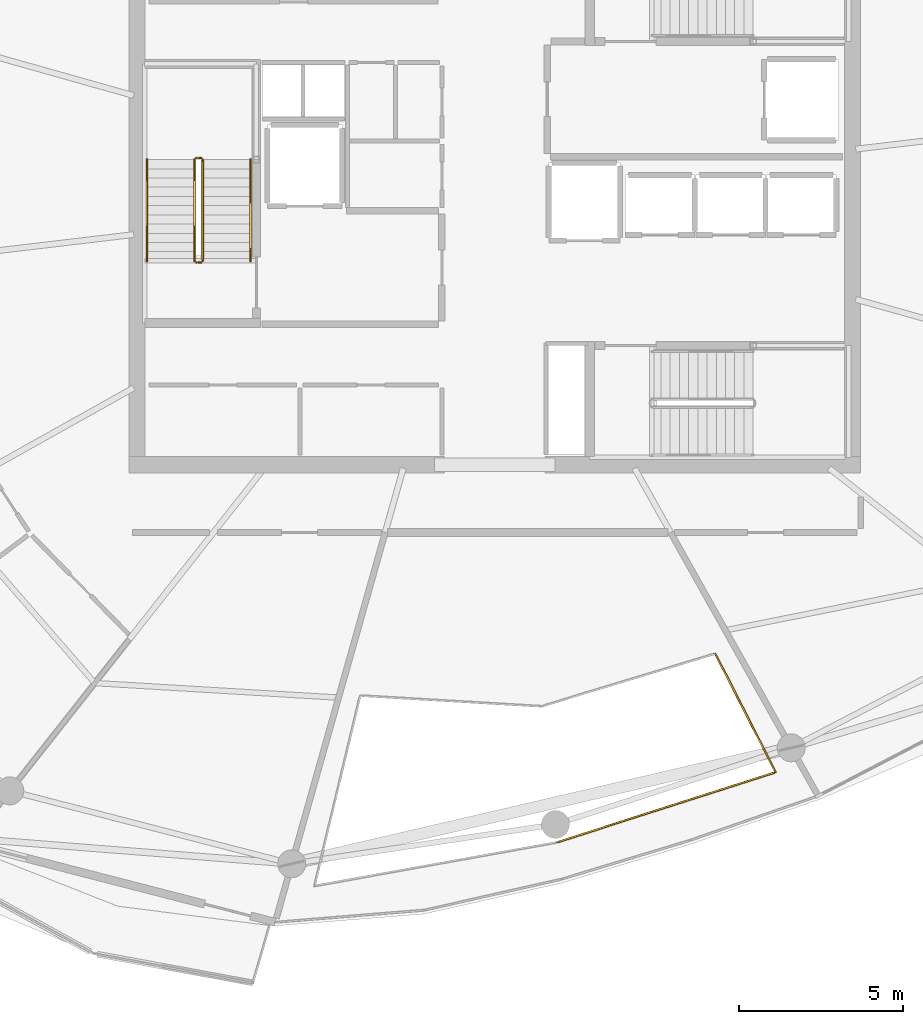
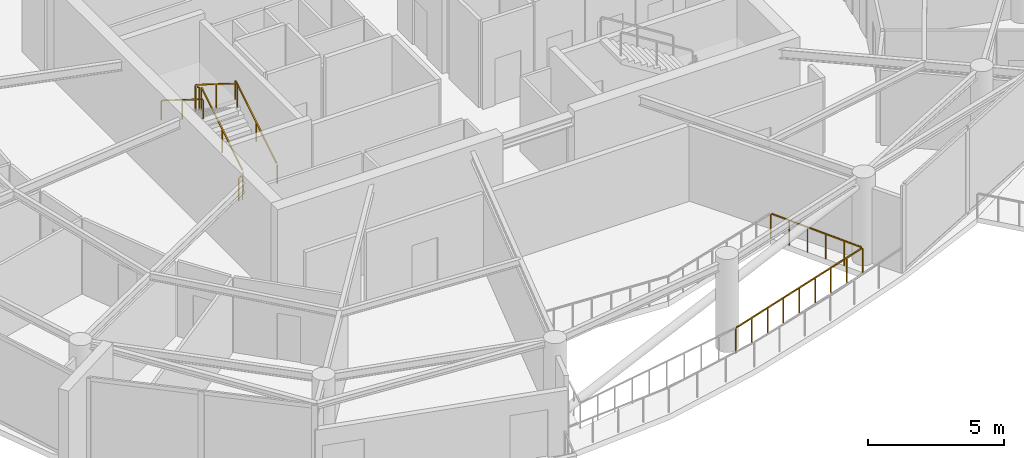
# One storey, part 19 of 22: 8 railings.
"""IFC4 building model written with IfcOpenShell, lengths in metres."""

from ifc_helpers import new_model, si_unit, direction, frame, origin, origin_2d, place, context, subcontext, project, spatial, rectangle, extrude, material, type_object, element, save


model = new_model("IFC4")

# Units and contexts
model_context = context("Model", 3, precision=1e-05, world=origin(), true_north=direction((0.0, 1.0)))
body_context = subcontext(model_context, "Body", "Model", "MODEL_VIEW")
ifc_project = project(units=[si_unit("LENGTHUNIT", "METRE"), si_unit("AREAUNIT", "SQUARE_METRE"), si_unit("VOLUMEUNIT", "CUBIC_METRE"), si_unit("PLANEANGLEUNIT", "RADIAN"), si_unit("MASSUNIT", "GRAM", prefix="KILO")], contexts=[model_context])

# Site, building, storey
site_placement = place(None, origin())
site = spatial("IfcSite", under=ifc_project, at=site_placement, CompositionType="ELEMENT")
building_placement = place(site_placement, origin())
building = spatial("IfcBuilding", under=site, at=building_placement, Name="Kazma Halo Residences", CompositionType="ELEMENT")
storey_placement = place(building_placement, frame((0.0, 0.0, 322.10009765625)))
storey = spatial("IfcBuildingStorey", under=building, at=storey_placement, Name="L81", CompositionType="ELEMENT", Elevation=322.10009765625)

# Railings
ifc_material_1 = material(Name="Brushed Stainless Steel and Laminated Glass", Category="steel")
railing_type_1 = type_object("IfcRailingType", Name="RLG-EXT-GUARD-1150", PredefinedType="GUARDRAIL", material=ifc_material_1)
railing_1_placement = place(storey_placement, frame((55.127685546875, 28.01123046875, 0.0)))
element("IfcRailing", 1, at=railing_1_placement, inside=storey, type_object=railing_type_1, Name="L81 upper wind-portal edge guard 2.3", PredefinedType="GUARDRAIL", context=body_context, shape_type="SweptSolid", body=[
    extrude(rectangle(XDim=0.050048828125, YDim=0.050048828125, at=origin_2d()), frame((0.019287109375, -0.037841796875, 1.125), z_axis=(0.453986372723, -0.891008626996, 0.0), x_axis=(0.891008626996, 0.453986372723, 0.0)), (0.0, 0.0, 1.0), 3.958984375),
    extrude(rectangle(XDim=0.0400390625, YDim=0.0400390625, at=origin_2d()), origin(), (0.0, 0.0, 1.0), 1.087890625),
    extrude(rectangle(XDim=0.0400390625, YDim=0.0400390625, at=origin_2d()), frame((0.3671875, -0.720703125, 0.0)), (0.0, 0.0, 1.0), 1.087890625),
    extrude(rectangle(XDim=0.0400390625, YDim=0.0400390625, at=origin_2d()), frame((0.734375, -1.44140625, 0.0)), (0.0, 0.0, 1.0), 1.087890625),
    extrude(rectangle(XDim=0.0400390625, YDim=0.0400390625, at=origin_2d()), frame((1.1015625, -2.161865234375, 0.0)), (0.0, 0.0, 1.0), 1.087890625),
    extrude(rectangle(XDim=0.0400390625, YDim=0.0400390625, at=origin_2d()), frame((1.46875, -2.882568359375, 0.0)), (0.0, 0.0, 1.0), 1.087890625),
    extrude(rectangle(XDim=0.0400390625, YDim=0.0400390625, at=origin_2d()), frame((1.8359375, -3.603271484375, 0.0)), (0.0, 0.0, 1.0), 1.087890625),
])
railing_2_placement = place(storey_placement, frame((56.963623046875, 24.407958984375, 0.0)))
element("IfcRailing", 2, at=railing_2_placement, inside=storey, type_object=railing_type_1, Name="L81 upper wind-portal edge guard 2.4", PredefinedType="GUARDRAIL", context=body_context, shape_type="SweptSolid", body=[
    extrude(rectangle(XDim=0.050048828125, YDim=0.050048828125, at=origin_2d()), frame((-0.04052734375, -0.012939453125, 1.125), z_axis=(-0.952165276882, -0.305583516407, 0.0), x_axis=(0.305583516407, -0.952165276882, 0.0)), (0.0, 0.0, 1.0), 6.877685546875),
    extrude(rectangle(XDim=0.0400390625, YDim=0.0400390625, at=origin_2d()), origin(), (0.0, 0.0, 1.0), 1.087890625),
    extrude(rectangle(XDim=0.0400390625, YDim=0.0400390625, at=origin_2d()), frame((-0.82861328125, -0.265869140625, 0.0)), (0.0, 0.0, 1.0), 1.087890625),
    extrude(rectangle(XDim=0.0400390625, YDim=0.0400390625, at=origin_2d()), frame((-1.657470703125, -0.531982421875, 0.0)), (0.0, 0.0, 1.0), 1.087890625),
    extrude(rectangle(XDim=0.0400390625, YDim=0.0400390625, at=origin_2d()), frame((-2.486083984375, -0.7978515625, 0.0)), (0.0, 0.0, 1.0), 1.087890625),
    extrude(rectangle(XDim=0.0400390625, YDim=0.0400390625, at=origin_2d()), frame((-3.31494140625, -1.06396484375, 0.0)), (0.0, 0.0, 1.0), 1.087890625),
    extrude(rectangle(XDim=0.0400390625, YDim=0.0400390625, at=origin_2d()), frame((-4.1435546875, -1.329833984375, 0.0)), (0.0, 0.0, 1.0), 1.087890625),
    extrude(rectangle(XDim=0.0400390625, YDim=0.0400390625, at=origin_2d()), frame((-4.97216796875, -1.595703125, 0.0)), (0.0, 0.0, 1.0), 1.087890625),
    extrude(rectangle(XDim=0.0400390625, YDim=0.0400390625, at=origin_2d()), frame((-5.801025390625, -1.86181640625, 0.0)), (0.0, 0.0, 1.0), 1.087890625),
    extrude(rectangle(XDim=0.0400390625, YDim=0.0400390625, at=origin_2d()), frame((-6.629638671875, -2.127685546875, 0.0)), (0.0, 0.0, 1.0), 1.087890625),
])
ifc_material_2 = material(Name="Painted Steel S355", Category="steel")
railing_type_2 = type_object("IfcRailingType", Name="RLG-STAIR-GRD-1100", PredefinedType="GUARDRAIL", material=ifc_material_2)
railing_3_placement = place(storey_placement, frame((39.550048828125, 39.949951171875, 0.1748046875)))
element("IfcRailing", 3, at=railing_3_placement, inside=storey, type_object=railing_type_2, Name="L81 ST-01 stair guard 1", PredefinedType="GUARDRAIL", context=body_context, shape_type="SweptSolid", body=[
    extrude(rectangle(XDim=0.050048828125, YDim=0.050048828125, at=origin_2d()), frame((0.0, 0.0361328125, 1.09765625), z_axis=(0.0, 0.847998304005, 0.529998940003), x_axis=(-1.0, 0.0, 0.0)), (0.0, 0.0, 1.0), 3.547119140625),
    extrude(rectangle(XDim=0.0400390625, YDim=0.0400390625, at=origin_2d()), origin(), (0.0, 0.0, 1.0), 1.0380859375),
    extrude(rectangle(XDim=0.0400390625, YDim=0.0400390625, at=origin_2d()), frame((0.0, 1.5400390625, 0.96240234375)), (0.0, 0.0, 1.0), 1.0380859375),
    extrude(rectangle(XDim=0.0400390625, YDim=0.0400390625, at=origin_2d()), frame((0.0, 3.080078125, 1.925048828125)), (0.0, 0.0, 1.0), 1.0380859375),
])
railing_4_placement = place(storey_placement, frame((39.5, 43.080078125, 2.099853515625)))
element("IfcRailing", 4, at=railing_4_placement, inside=storey, type_object=railing_type_2, Name="L81 ST-01 stair guard 2", PredefinedType="GUARDRAIL", context=body_context, shape_type="SweptSolid", body=[
    extrude(rectangle(XDim=0.050048828125, YDim=0.050048828125, at=origin_2d()), frame((-0.04248046875, 0.0, 1.0751953125), z_axis=(-1.0, 0.0, 0.0), x_axis=(0.0, -1.0, 0.0)), (0.0, 0.0, 1.0), 0.06494140625),
    extrude(rectangle(XDim=0.0400390625, YDim=0.0400390625, at=origin_2d()), origin(), (0.0, 0.0, 1.0), 1.0380859375),
    extrude(rectangle(XDim=0.0400390625, YDim=0.0400390625, at=origin_2d()), frame((-0.14990234375, 0.0, 0.0)), (0.0, 0.0, 1.0), 1.0380859375),
])
railing_5_placement = place(storey_placement, frame((39.300048828125, 43.030029296875, 2.27490234375)))
element("IfcRailing", 5, at=railing_5_placement, inside=storey, type_object=railing_type_2, Name="L81 ST-01 stair guard 3", PredefinedType="GUARDRAIL", context=body_context, shape_type="SweptSolid", body=[
    extrude(rectangle(XDim=0.050048828125, YDim=0.050048828125, at=origin_2d()), frame((0.0, -0.0361328125, 1.09765625), z_axis=(0.0, -0.847998304005, 0.529998940003), x_axis=(1.0, 0.0, 0.0)), (0.0, 0.0, 1.0), 3.547119140625),
    extrude(rectangle(XDim=0.0400390625, YDim=0.0400390625, at=origin_2d()), origin(), (0.0, 0.0, 1.0), 1.0380859375),
    extrude(rectangle(XDim=0.0400390625, YDim=0.0400390625, at=origin_2d()), frame((0.0, -1.5400390625, 0.96240234375)), (0.0, 0.0, 1.0), 1.0380859375),
    extrude(rectangle(XDim=0.0400390625, YDim=0.0400390625, at=origin_2d()), frame((0.0, -3.080078125, 1.925048828125)), (0.0, 0.0, 1.0), 1.0380859375),
])
railing_6_placement = place(storey_placement, frame((39.5, 39.89990234375, 0.0)))
element("IfcRailing", 6, at=railing_6_placement, inside=storey, type_object=railing_type_2, Name="L81 ST-01 stair guard 4", PredefinedType="GUARDRAIL", context=body_context, shape_type="SweptSolid", body=[
    extrude(rectangle(XDim=0.050048828125, YDim=0.050048828125, at=origin_2d()), frame((-0.04248046875, 0.0, 1.0751953125), z_axis=(-1.0, 0.0, 0.0), x_axis=(0.0, -1.0, 0.0)), (0.0, 0.0, 1.0), 0.06494140625),
    extrude(rectangle(XDim=0.0400390625, YDim=0.0400390625, at=origin_2d()), origin(), (0.0, 0.0, 1.0), 1.0380859375),
    extrude(rectangle(XDim=0.0400390625, YDim=0.0400390625, at=origin_2d()), frame((-0.14990234375, 0.0, 0.0)), (0.0, 0.0, 1.0), 1.0380859375),
])
ifc_material_3 = material(Name="Brushed Stainless Steel", Category="steel")
railing_type_3 = type_object("IfcRailingType", Name="RLG-STAIR-HND-900", PredefinedType="HANDRAIL", material=ifc_material_3)
railing_7_placement = place(storey_placement, frame((41.0, 39.949951171875, 0.1748046875)))
element("IfcRailing", 7, at=railing_7_placement, inside=storey, type_object=railing_type_3, Name="L81 ST-01 stair handrail 1", PredefinedType="HANDRAIL", context=body_context, shape_type="SweptSolid", body=[
    extrude(rectangle(XDim=0.050048828125, YDim=0.050048828125, at=origin_2d()), frame((0.0, 0.0361328125, 0.8974609375), z_axis=(0.0, 0.847998304005, 0.529998940003), x_axis=(-1.0, 0.0, 0.0)), (0.0, 0.0, 1.0), 3.547119140625),
    extrude(rectangle(XDim=0.0400390625, YDim=0.0400390625, at=origin_2d()), origin(), (0.0, 0.0, 1.0), 0.837890625),
    extrude(rectangle(XDim=0.0400390625, YDim=0.0400390625, at=origin_2d()), frame((0.0, 1.5400390625, 0.96240234375)), (0.0, 0.0, 1.0), 0.837890625),
    extrude(rectangle(XDim=0.0400390625, YDim=0.0400390625, at=origin_2d()), frame((0.0, 3.080078125, 1.925048828125)), (0.0, 0.0, 1.0), 0.837890625),
])
railing_8_placement = place(storey_placement, frame((37.85009765625, 43.030029296875, 2.27490234375)))
element("IfcRailing", 8, at=railing_8_placement, inside=storey, type_object=railing_type_3, Name="L81 ST-01 stair handrail 2", PredefinedType="HANDRAIL", context=body_context, shape_type="SweptSolid", body=[
    extrude(rectangle(XDim=0.050048828125, YDim=0.050048828125, at=origin_2d()), frame((0.0, -0.0361328125, 0.8974609375), z_axis=(0.0, -0.847998304005, 0.529998940003), x_axis=(1.0, 0.0, 0.0)), (0.0, 0.0, 1.0), 3.547119140625),
    extrude(rectangle(XDim=0.0400390625, YDim=0.0400390625, at=origin_2d()), origin(), (0.0, 0.0, 1.0), 0.837890625),
    extrude(rectangle(XDim=0.0400390625, YDim=0.0400390625, at=origin_2d()), frame((0.0, -1.5400390625, 0.96240234375)), (0.0, 0.0, 1.0), 0.837890625),
    extrude(rectangle(XDim=0.0400390625, YDim=0.0400390625, at=origin_2d()), frame((0.0, -3.080078125, 1.925048828125)), (0.0, 0.0, 1.0), 0.837890625),
])

save(model, "model.ifc")
